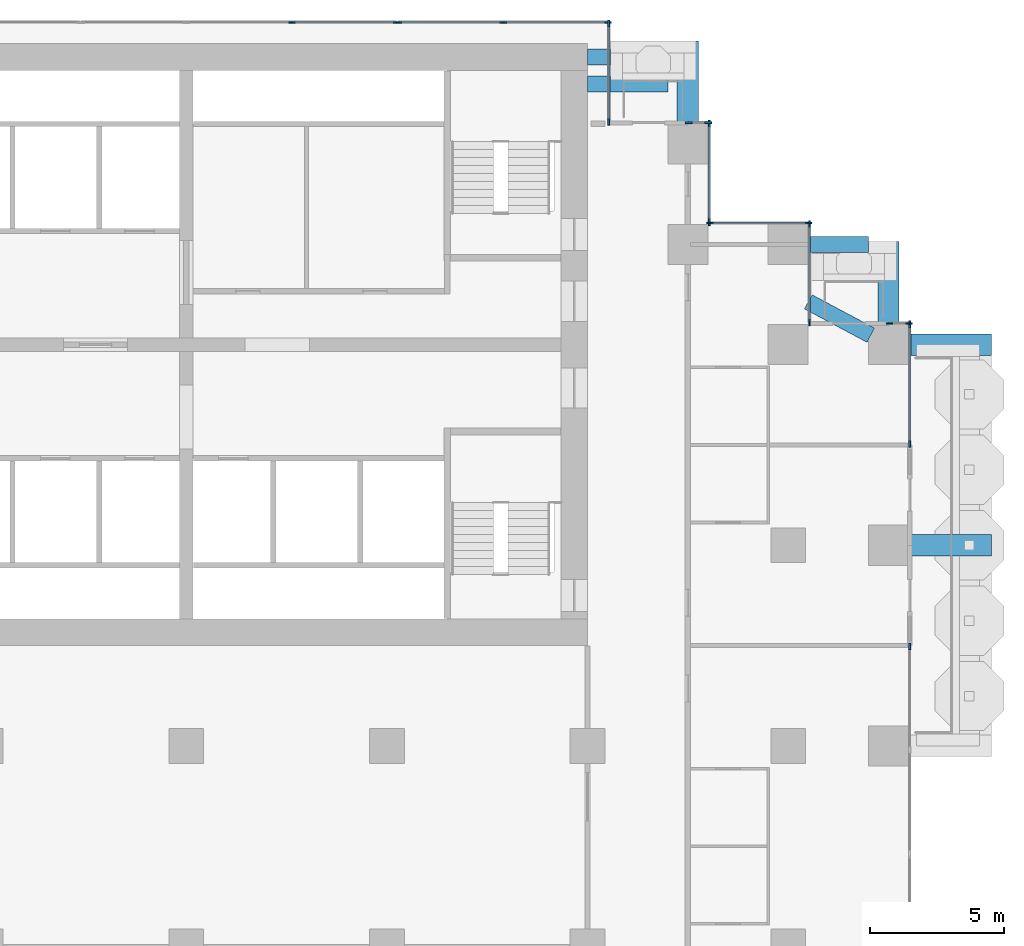
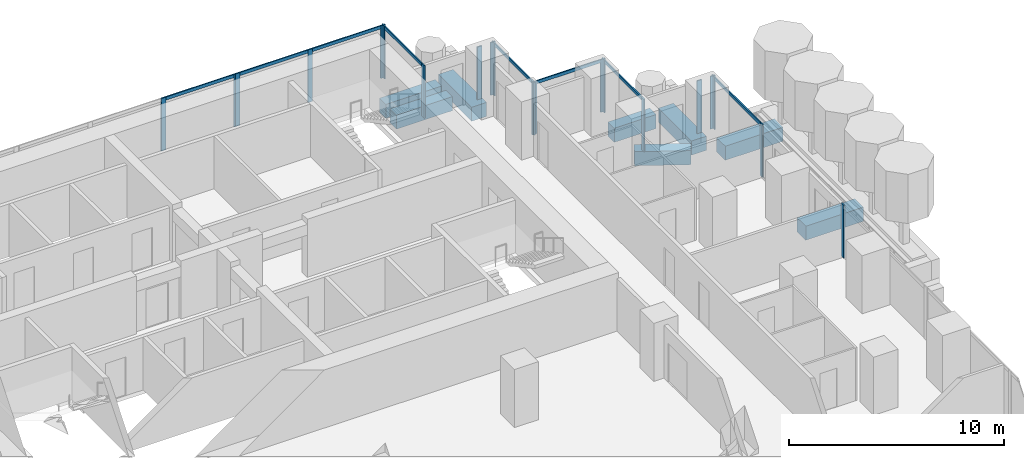
# One storey, part 6 of 19: 28 members, 8 beams, 10 elements without a shape of their own.
"""IFC4 building model written with IfcOpenShell, lengths in metres."""

import ifcopenshell
import ifcopenshell.guid

model = None  # the IFC model being written
_history = None  # IfcOwnerHistory: only IFC2X3 demands one
_inside = {}  # id of a spatial element -> (the spatial element, [elements in it])
_under = {}  # id of a project, library or spatial element -> (it, [spatial elements below it])
_declared = {}  # id of a project -> (the project, [libraries it declares])
_typed = {}  # id of a type object -> (the type object, [elements of that type])
_made_of = {}  # id of a material, layer set ... -> (it, [elements and type objects made of it])


def new_model(schema):
    """Start an empty IFC model of exactly this schema.

    Asked for "IFC4X3", IfcOpenShell would pick the latest addendum, in which some entities
    have other attributes; the version numbers below select the first issue.
    IFC2X3 requires an IfcOwnerHistory on every rooted entity: one is made here for all.
    """
    global model, _history
    if schema == "IFC4X3":
        model = ifcopenshell.file(schema_version=(4, 3, 0, 0))
    else:
        model = ifcopenshell.file(schema=schema)
    _inside.clear()
    _under.clear()
    _declared.clear()
    _typed.clear()
    _made_of.clear()
    _history = None
    if model.schema == "IFC2X3":
        org = make("IfcOrganization", Name="unknown")
        user = make(
            "IfcPersonAndOrganization",
            ThePerson=make("IfcPerson", FamilyName="unknown"),
            TheOrganization=org,
        )
        app = make(
            "IfcApplication",
            ApplicationDeveloper=org,
            Version="unknown",
            ApplicationFullName="unknown",
            ApplicationIdentifier="unknown",
        )
        _history = make(
            "IfcOwnerHistory",
            OwningUser=user,
            OwningApplication=app,
            ChangeAction="ADDED",
            CreationDate=0,
        )
    return model


def make(cls, **values):
    """One entity of the class cls with the attributes given. An attribute that is None is left unset."""
    return model.create_entity(
        cls, **{name: value for name, value in values.items() if value is not None}
    )


def rooted(cls, **values):
    """An entity with a GlobalId (a new one), such as an element, a storey or a relation."""
    return make(cls, GlobalId=ifcopenshell.guid.new(), OwnerHistory=_history, **values)


def si_unit(unit_type, name, prefix=None):
    """IfcSIUnit, for example si_unit("LENGTHUNIT", "METRE", prefix="MILLI")."""
    return make("IfcSIUnit", UnitType=unit_type, Prefix=prefix, Name=name)


def assignment(units):
    """IfcUnitAssignment: the units of a project."""
    return None if units is None else make("IfcUnitAssignment", Units=units)


def point(xyz):
    """IfcCartesianPoint."""
    return None if xyz is None else make("IfcCartesianPoint", Coordinates=xyz)


def direction(xyz):
    """IfcDirection."""
    return None if xyz is None else make("IfcDirection", DirectionRatios=xyz)


def frame(location, z_axis=None, x_axis=None):
    """IfcAxis2Placement3D, a coordinate frame: its origin and axes. An axis left out is left unset."""
    return make(
        "IfcAxis2Placement3D",
        Location=point(location),
        Axis=direction(z_axis),
        RefDirection=direction(x_axis),
    )


def frame_2d(location, x_axis=None):
    """IfcAxis2Placement2D, a coordinate frame in the plane: its origin and x axis."""
    return make(
        "IfcAxis2Placement2D", Location=point(location), RefDirection=direction(x_axis)
    )


def origin():
    """The frame at (0, 0, 0) with its axes left unset."""
    return frame((0.0, 0.0, 0.0))


def origin_2d():
    """The frame at (0, 0) in the plane with its x axis left unset."""
    return frame_2d((0.0, 0.0))


def place(relative_to, where):
    """IfcLocalPlacement: puts the frame where relative to a parent placement (None: the world)."""
    return make(
        "IfcLocalPlacement", PlacementRelTo=relative_to, RelativePlacement=where
    )


def context(
    kind, dimensions, precision=None, world=None, true_north=None, identifier=None
):
    """IfcGeometricRepresentationContext, for example the 3D "Model" context."""
    return make(
        "IfcGeometricRepresentationContext",
        ContextIdentifier=identifier,
        ContextType=kind,
        CoordinateSpaceDimension=dimensions,
        Precision=precision,
        WorldCoordinateSystem=world,
        TrueNorth=true_north,
    )


def subcontext(parent, identifier, kind, view, scale=None):
    """IfcGeometricRepresentationSubContext, for example "Body" below "Model"."""
    return make(
        "IfcGeometricRepresentationSubContext",
        ContextIdentifier=identifier,
        ContextType=kind,
        ParentContext=parent,
        TargetScale=scale,
        TargetView=view,
    )


def project(units=None, contexts=None):
    """IfcProject with its units and contexts."""
    return rooted(
        "IfcProject",
        Name="project",
        RepresentationContexts=contexts,
        UnitsInContext=assignment(units),
    )


def spatial(cls, under=None, at=None, **own):
    """A site, building, storey or space (cls), placed at a placement, below another one or the project."""
    s = rooted(cls, ObjectPlacement=at, **own)
    if under is not None:
        _under.setdefault(under.id(), (under, []))[1].append(s)
    return s


def profile(cls, at=None, kind="AREA", **sizes):
    """A parametric profile (cls). Its sizes go by their IFC names, for example OverallWidth=200.0."""
    return make(cls, ProfileType=kind, Position=at, **sizes)


def rectangle(**sizes):
    """IfcRectangleProfileDef."""
    return profile("IfcRectangleProfileDef", **sizes)


def extrude(swept, where, along, depth):
    """IfcExtrudedAreaSolid: the profile swept, set in the frame where, extruded along a direction by depth."""
    return make(
        "IfcExtrudedAreaSolid",
        SweptArea=swept,
        Position=where,
        ExtrudedDirection=direction(along),
        Depth=depth,
    )


def shape(context_of_items, identifier, shape_type, items):
    """IfcShapeRepresentation: the items that make up one representation, for example the "Body"."""
    return make(
        "IfcShapeRepresentation",
        ContextOfItems=context_of_items,
        RepresentationIdentifier=identifier,
        RepresentationType=shape_type,
        Items=items,
    )


def material(Name=None, Category=None):
    """IfcMaterial."""
    return make("IfcMaterial", Name=Name, Category=Category)


def material_profile(
    of_material, cross_section, Name=None, Category=None, Priority=None
):
    """IfcMaterialProfile: a cross section and its material."""
    return make(
        "IfcMaterialProfile",
        Name=Name,
        Material=of_material,
        Profile=cross_section,
        Priority=Priority,
        Category=Category,
    )


def profile_set(profiles, Name=None, composite=None):
    """IfcMaterialProfileSet."""
    return make(
        "IfcMaterialProfileSet",
        Name=Name,
        MaterialProfiles=profiles,
        CompositeProfile=composite,
    )


def made_of(thing, what):
    """Note that an element or type object is made of a material, layer set ...; save() writes the relation."""
    if what is not None:
        _made_of.setdefault(what.id(), (what, []))[1].append(thing)
    return thing


def type_object(cls, material=None, **own):
    """A type object (cls), such as IfcWallType, which elements share."""
    return made_of(rooted(cls, **own), material)


def element(
    cls,
    number,
    at=None,
    inside=None,
    cuts=None,
    type_object=None,
    material=None,
    context=None,
    identifier="Body",
    shape_type=None,
    held_by="IfcProductDefinitionShape",
    body=None,
    shapes=None,
    **own,
):
    """One element of the class cls, such as IfcWall. Its Tag is "e" and its number.

    at: its placement. inside: the storey or other place that contains it. cuts: it is an
    opening in that element (IfcRelVoidsElement). A single representation is given by context,
    identifier, shape_type and body (its items); several are given by shapes. held_by: the class
    of the entity that holds the representations. save() writes the other relations.
    """
    e = rooted(cls, Tag="e%d" % number, ObjectPlacement=at, **own)
    if body is not None:
        shapes = [shape(context, identifier, shape_type, body)]
    if shapes is not None:
        e.Representation = make(held_by, Representations=shapes)
    if inside is not None:
        _inside.setdefault(inside.id(), (inside, []))[1].append(e)
    if cuts is not None:
        rooted(
            "IfcRelVoidsElement", RelatingBuildingElement=cuts, RelatedOpeningElement=e
        )
    if type_object is not None:
        _typed.setdefault(type_object.id(), (type_object, []))[1].append(e)
    return made_of(e, material)


def aggregate(whole, parts):
    """IfcRelAggregates: a whole, such as a stair, and the parts it consists of."""
    return rooted("IfcRelAggregates", RelatingObject=whole, RelatedObjects=parts)


def save(model, path):
    """Write the relations noted so far, then the file.

    IfcRelAggregates (storeys below a building ...), IfcRelContainedInSpatialStructure (elements
    in a storey), IfcRelDefinesByType, IfcRelAssociatesMaterial and IfcRelDeclares: one each for
    every whole, place, type object, material and project.
    """
    for whole, parts in _under.values():
        aggregate(whole, parts)
    for where, things in _inside.values():
        rooted(
            "IfcRelContainedInSpatialStructure",
            RelatedElements=things,
            RelatingStructure=where,
        )
    for kind, things in _typed.values():
        rooted("IfcRelDefinesByType", RelatedObjects=things, RelatingType=kind)
    for what, things in _made_of.values():
        rooted("IfcRelAssociatesMaterial", RelatedObjects=things, RelatingMaterial=what)
    for by, libraries in _declared.values():
        rooted("IfcRelDeclares", RelatingContext=by, RelatedDefinitions=libraries)
    model.write(path)


model = new_model("IFC4")

# Units and contexts
model_context = context("Model", 3, precision=1e-05, world=origin(), true_north=direction((0.0, 1.0)))
body_context = subcontext(model_context, "Body", "Model", "MODEL_VIEW")
ifc_project = project(units=[si_unit("LENGTHUNIT", "METRE"), si_unit("AREAUNIT", "SQUARE_METRE"), si_unit("VOLUMEUNIT", "CUBIC_METRE"), si_unit("PLANEANGLEUNIT", "RADIAN"), si_unit("MASSUNIT", "GRAM", prefix="KILO")], contexts=[model_context])

# Site, building, storey
site_placement = place(None, origin())
site = spatial("IfcSite", under=ifc_project, at=site_placement, CompositionType="ELEMENT")
building_placement = place(site_placement, origin())
building = spatial("IfcBuilding", under=site, at=building_placement, Name="Pilkhan Gate Tower", CompositionType="ELEMENT")
storey_placement = place(building_placement, frame((0.0, 0.0, 65.89990234375)))
storey = spatial("IfcBuildingStorey", under=building, at=storey_placement, Name="L14", CompositionType="ELEMENT", Elevation=65.89990234375)

# Beams
ifc_material_1 = material(Name="Concrete C50/60", Category="concrete")
ifc_material_profile_1 = material_profile(ifc_material_1, rectangle(XDim=0.60009765625, YDim=0.800048828125, at=origin_2d()), Name="RC 600x800")
ifc_profile_set_1 = profile_set([ifc_material_profile_1], Name="Concrete C50/60")
beam_type_1 = type_object("IfcBeamType", Name="Cantilever beam CB1 RC 600x800 C50/60", PredefinedType="BEAM", material=ifc_profile_set_1)
for number, where, z_axis, x_axis, name in (
    (1, (90.0, 93.25, -0.699951171875), (1.0, 0.0, 0.0), (0.0, 1.0, 0.0), "Balcony beam NE.2 L14"),
    (2, (90.0, 92.25, -0.699951171875), (1.0, 0.0, 0.0), (0.0, 1.0, 0.0), "Balcony beam NE.3 L14"),
):
    element("IfcBeam", number, at=place(storey_placement, frame(where, z_axis=z_axis, x_axis=x_axis)), inside=storey, type_object=beam_type_1, Name=name, PredefinedType="BEAM", context=body_context, shape_type="SweptSolid", body=[
        extrude(rectangle(XDim=0.60009765625, YDim=0.800048828125, at=origin_2d()), origin(), (0.0, 0.0, 1.0), 3.0),
    ])
beam_1_placement = place(storey_placement, frame((98.25, 86.25, -0.699951171875), z_axis=(1.0, 0.0, 0.0), x_axis=(0.0, 1.0, 0.0)))
element("IfcBeam", 3, at=beam_1_placement, inside=storey, type_object=beam_type_1, Name="Balcony beam NE2.2 L14", PredefinedType="BEAM", context=body_context, shape_type="SweptSolid", body=[
    extrude(rectangle(XDim=0.60009765625, YDim=0.800048828125, at=origin_2d()), origin(), (0.0, 0.0, 1.0), 2.25),
])
beam_2_placement = place(storey_placement, frame((100.588134765625, 82.85302734375, -0.699951171875), z_axis=(-0.882342739565, 0.470607362817, 0.0), x_axis=(-0.470607362817, -0.882342739565, 0.0)))
element("IfcBeam", 4, at=beam_2_placement, inside=storey, type_object=beam_type_1, Name="Balcony beam NE2.3 L14", PredefinedType="BEAM", context=body_context, shape_type="SweptSolid", body=[
    extrude(rectangle(XDim=0.60009765625, YDim=0.800048828125, at=origin_2d()), origin(), (0.0, 0.0, 1.0), 2.64990234375),
])
ifc_material_profile_2 = material_profile(ifc_material_1, rectangle(XDim=0.800048828125, YDim=0.800048828125, at=origin_2d()), Name="RC 800x800")
ifc_profile_set_2 = profile_set([ifc_material_profile_2], Name="Concrete C50/60")
beam_type_2 = type_object("IfcBeamType", Name="Cantilever beam CB2 RC 800x800 C50/60", PredefinedType="BEAM", material=ifc_profile_set_2)
for number, where, z_axis, x_axis, name in (
    (5, (102.0, 75.0, -0.699951171875), (1.0, 0.0, 0.0), (0.0, 1.0, 0.0), "Balcony beam E.2 L14"),
    (6, (102.0, 82.5, -0.699951171875), (1.0, 0.0, 0.0), (0.0, 1.0, 0.0), "Balcony beam E.3 L14"),
    (7, (93.75, 90.75, -0.699951171875), (0.0, 1.0, 0.0), (-1.0, 0.0, 0.0), "Balcony beam NE.1 L14"),
    (8, (101.25, 83.25, -0.699951171875), (0.0, 1.0, 0.0), (-1.0, 0.0, 0.0), "Balcony beam NE2.1 L14"),
):
    element("IfcBeam", number, at=place(storey_placement, frame(where, z_axis=z_axis, x_axis=x_axis)), inside=storey, type_object=beam_type_2, Name=name, PredefinedType="BEAM", context=body_context, shape_type="SweptSolid", body=[
        extrude(rectangle(XDim=0.800048828125, YDim=0.800048828125, at=origin_2d()), origin(), (0.0, 0.0, 1.0), 3.10009765625),
    ])

# Curtain wall, member
ifc_material_2 = material(Name="Pale anodised aluminium, clear low-iron double glazing", Category="aluminium")
curtain_wall_type = type_object("IfcCurtainWallType", Name="Hotel unitised curtain wall CW-H", PredefinedType="USERDEFINED", material=ifc_material_2)
curtain_wall_1_placement = place(storey_placement, origin())
curtain_wall_1 = element("IfcCurtainWall", 9, at=curtain_wall_1_placement, inside=storey, type_object=curtain_wall_type, Name="Hotel unitised curtain wall CW-H L14 E", ObjectType="UNITISED CURTAIN WALL", PredefinedType="USERDEFINED")
ifc_material_3 = material(Name="Pale anodised aluminium", Category="aluminium")
ifc_material_profile_3 = material_profile(ifc_material_3, rectangle(XDim=0.06494140625, YDim=0.25, at=origin_2d()), Name="Mullion 250x65")
ifc_profile_set_3 = profile_set([ifc_material_profile_3], Name="Pale anodised aluminium")
member_type_1 = type_object("IfcMemberType", Name="Mullion CW-H 250x65", PredefinedType="MULLION", material=ifc_profile_set_3)
member_1_placement = place(storey_placement, frame((102.044921875, 71.217529296875, 0.0), z_axis=(0.0, 0.0, 1.0), x_axis=(-1.0, 0.0, 0.0)))
member_1 = element("IfcMember", 10, at=member_1_placement, type_object=member_type_1, Name="CW-H mullion 3", PredefinedType="MULLION", context=body_context, shape_type="SweptSolid", body=[
    extrude(rectangle(XDim=0.06494140625, YDim=0.25, at=origin_2d()), origin(), (0.0, 0.0, 1.0), 3.0),
])
aggregate(curtain_wall_1, [member_1])

# Curtain wall, members
curtain_wall_2_placement = place(storey_placement, origin())
curtain_wall_2 = element("IfcCurtainWall", 11, at=curtain_wall_2_placement, inside=storey, type_object=curtain_wall_type, Name="Hotel unitised curtain wall CW-H L14 E", ObjectType="UNITISED CURTAIN WALL", PredefinedType="USERDEFINED")
member_2_placement = place(storey_placement, frame((102.044921875, 78.782470703125, 0.0), z_axis=(0.0, 0.0, 1.0), x_axis=(-1.0, 0.0, 0.0)))
member_2 = element("IfcMember", 12, at=member_2_placement, type_object=member_type_1, Name="CW-H mullion 1", PredefinedType="MULLION", context=body_context, shape_type="SweptSolid", body=[
    extrude(rectangle(XDim=0.06494140625, YDim=0.25, at=origin_2d()), origin(), (0.0, 0.0, 1.0), 3.0),
])
member_3_placement = place(storey_placement, frame((102.044921875, 83.262451171875, 0.0), z_axis=(0.0, 0.0, 1.0), x_axis=(-1.0, 0.0, 0.0)))
member_3 = element("IfcMember", 13, at=member_3_placement, type_object=member_type_1, Name="CW-H mullion 2", PredefinedType="MULLION", context=body_context, shape_type="SweptSolid", body=[
    extrude(rectangle(XDim=0.06494140625, YDim=0.25, at=origin_2d()), origin(), (0.0, 0.0, 1.0), 3.0),
])

curtain_wall_3_placement = place(storey_placement, origin())
curtain_wall_3 = element("IfcCurtainWall", 14, at=curtain_wall_3_placement, inside=storey, type_object=curtain_wall_type, Name="Hotel unitised curtain wall CW-H L14 N", ObjectType="UNITISED CURTAIN WALL", PredefinedType="USERDEFINED")
member_4_placement = place(storey_placement, frame((101.282470703125, 83.294921875, 0.0), z_axis=(0.0, 0.0, 1.0), x_axis=(0.0, 1.0, 0.0)))
member_4 = element("IfcMember", 15, at=member_4_placement, type_object=member_type_1, Name="CW-H mullion 1", PredefinedType="MULLION", context=body_context, shape_type="SweptSolid", body=[
    extrude(rectangle(XDim=0.06494140625, YDim=0.25, at=origin_2d()), origin(), (0.0, 0.0, 1.0), 3.0),
])
member_5_placement = place(storey_placement, frame((102.012451171875, 83.294921875, 0.0), z_axis=(0.0, 0.0, 1.0), x_axis=(0.0, 1.0, 0.0)))
member_5 = element("IfcMember", 16, at=member_5_placement, type_object=member_type_1, Name="CW-H mullion 2", PredefinedType="MULLION", context=body_context, shape_type="SweptSolid", body=[
    extrude(rectangle(XDim=0.06494140625, YDim=0.25, at=origin_2d()), origin(), (0.0, 0.0, 1.0), 3.0),
])
aggregate(curtain_wall_3, [member_4, member_5])

curtain_wall_4_placement = place(storey_placement, origin())
curtain_wall_4 = element("IfcCurtainWall", 17, at=curtain_wall_4_placement, inside=storey, type_object=curtain_wall_type, Name="Hotel unitised curtain wall CW-H L14 E", ObjectType="UNITISED CURTAIN WALL", PredefinedType="USERDEFINED")
member_6_placement = place(storey_placement, frame((98.294921875, 83.327392578125, 0.0), z_axis=(0.0, 0.0, 1.0), x_axis=(-1.0, 0.0, 0.0)))
member_6 = element("IfcMember", 18, at=member_6_placement, type_object=member_type_1, Name="CW-H mullion 1", PredefinedType="MULLION", context=body_context, shape_type="SweptSolid", body=[
    extrude(rectangle(XDim=0.06494140625, YDim=0.25, at=origin_2d()), origin(), (0.0, 0.0, 1.0), 3.0),
])
member_7_placement = place(storey_placement, frame((98.294921875, 87.012451171875, 0.0), z_axis=(0.0, 0.0, 1.0), x_axis=(-1.0, 0.0, 0.0)))
member_7 = element("IfcMember", 19, at=member_7_placement, type_object=member_type_1, Name="CW-H mullion 2", PredefinedType="MULLION", context=body_context, shape_type="SweptSolid", body=[
    extrude(rectangle(XDim=0.06494140625, YDim=0.25, at=origin_2d()), origin(), (0.0, 0.0, 1.0), 3.0),
])

curtain_wall_5_placement = place(storey_placement, origin())
curtain_wall_5 = element("IfcCurtainWall", 20, at=curtain_wall_5_placement, inside=storey, type_object=curtain_wall_type, Name="Hotel unitised curtain wall CW-H L14 N", ObjectType="UNITISED CURTAIN WALL", PredefinedType="USERDEFINED")
member_8_placement = place(storey_placement, frame((94.577392578125, 87.044921875, 0.0), z_axis=(0.0, 0.0, 1.0), x_axis=(0.0, 1.0, 0.0)))
member_8 = element("IfcMember", 21, at=member_8_placement, type_object=member_type_1, Name="CW-H mullion 1", PredefinedType="MULLION", context=body_context, shape_type="SweptSolid", body=[
    extrude(rectangle(XDim=0.06494140625, YDim=0.25, at=origin_2d()), origin(), (0.0, 0.0, 1.0), 3.0),
])
member_9_placement = place(storey_placement, frame((98.262451171875, 87.044921875, 0.0), z_axis=(0.0, 0.0, 1.0), x_axis=(0.0, 1.0, 0.0)))
member_9 = element("IfcMember", 22, at=member_9_placement, type_object=member_type_1, Name="CW-H mullion 2", PredefinedType="MULLION", context=body_context, shape_type="SweptSolid", body=[
    extrude(rectangle(XDim=0.06494140625, YDim=0.25, at=origin_2d()), origin(), (0.0, 0.0, 1.0), 3.0),
])

curtain_wall_6_placement = place(storey_placement, origin())
curtain_wall_6 = element("IfcCurtainWall", 23, at=curtain_wall_6_placement, inside=storey, type_object=curtain_wall_type, Name="Hotel unitised curtain wall CW-H L14 E", ObjectType="UNITISED CURTAIN WALL", PredefinedType="USERDEFINED")
member_10_placement = place(storey_placement, frame((94.544921875, 87.077392578125, 0.0), z_axis=(0.0, 0.0, 1.0), x_axis=(-1.0, 0.0, 0.0)))
member_10 = element("IfcMember", 24, at=member_10_placement, type_object=member_type_1, Name="CW-H mullion 1", PredefinedType="MULLION", context=body_context, shape_type="SweptSolid", body=[
    extrude(rectangle(XDim=0.06494140625, YDim=0.25, at=origin_2d()), origin(), (0.0, 0.0, 1.0), 3.0),
])
member_11_placement = place(storey_placement, frame((94.544921875, 90.762451171875, 0.0), z_axis=(0.0, 0.0, 1.0), x_axis=(-1.0, 0.0, 0.0)))
member_11 = element("IfcMember", 25, at=member_11_placement, type_object=member_type_1, Name="CW-H mullion 2", PredefinedType="MULLION", context=body_context, shape_type="SweptSolid", body=[
    extrude(rectangle(XDim=0.06494140625, YDim=0.25, at=origin_2d()), origin(), (0.0, 0.0, 1.0), 3.0),
])

curtain_wall_7_placement = place(storey_placement, origin())
curtain_wall_7 = element("IfcCurtainWall", 26, at=curtain_wall_7_placement, inside=storey, type_object=curtain_wall_type, Name="Hotel unitised curtain wall CW-H L14 N", ObjectType="UNITISED CURTAIN WALL", PredefinedType="USERDEFINED")
member_12_placement = place(storey_placement, frame((93.782470703125, 90.794921875, 0.0), z_axis=(0.0, 0.0, 1.0), x_axis=(0.0, 1.0, 0.0)))
member_12 = element("IfcMember", 27, at=member_12_placement, type_object=member_type_1, Name="CW-H mullion 1", PredefinedType="MULLION", context=body_context, shape_type="SweptSolid", body=[
    extrude(rectangle(XDim=0.06494140625, YDim=0.25, at=origin_2d()), origin(), (0.0, 0.0, 1.0), 3.0),
])
member_13_placement = place(storey_placement, frame((94.512451171875, 90.794921875, 0.0), z_axis=(0.0, 0.0, 1.0), x_axis=(0.0, 1.0, 0.0)))
member_13 = element("IfcMember", 28, at=member_13_placement, type_object=member_type_1, Name="CW-H mullion 2", PredefinedType="MULLION", context=body_context, shape_type="SweptSolid", body=[
    extrude(rectangle(XDim=0.06494140625, YDim=0.25, at=origin_2d()), origin(), (0.0, 0.0, 1.0), 3.0),
])
aggregate(curtain_wall_7, [member_12, member_13])

curtain_wall_8_placement = place(storey_placement, origin())
curtain_wall_8 = element("IfcCurtainWall", 29, at=curtain_wall_8_placement, inside=storey, type_object=curtain_wall_type, Name="Hotel unitised curtain wall CW-H L14 E", ObjectType="UNITISED CURTAIN WALL", PredefinedType="USERDEFINED")
member_14_placement = place(storey_placement, frame((90.794921875, 90.827392578125, 0.0), z_axis=(0.0, 0.0, 1.0), x_axis=(-1.0, 0.0, 0.0)))
member_14 = element("IfcMember", 30, at=member_14_placement, type_object=member_type_1, Name="CW-H mullion 1", PredefinedType="MULLION", context=body_context, shape_type="SweptSolid", body=[
    extrude(rectangle(XDim=0.06494140625, YDim=0.25, at=origin_2d()), origin(), (0.0, 0.0, 1.0), 3.0),
])
member_15_placement = place(storey_placement, frame((90.794921875, 94.512451171875, 0.0), z_axis=(0.0, 0.0, 1.0), x_axis=(-1.0, 0.0, 0.0)))
member_15 = element("IfcMember", 31, at=member_15_placement, type_object=member_type_1, Name="CW-H mullion 2", PredefinedType="MULLION", context=body_context, shape_type="SweptSolid", body=[
    extrude(rectangle(XDim=0.06494140625, YDim=0.25, at=origin_2d()), origin(), (0.0, 0.0, 1.0), 3.0),
])

curtain_wall_9_placement = place(storey_placement, origin())
curtain_wall_9 = element("IfcCurtainWall", 32, at=curtain_wall_9_placement, inside=storey, type_object=curtain_wall_type, Name="Hotel unitised curtain wall CW-H L14 N", ObjectType="UNITISED CURTAIN WALL", PredefinedType="USERDEFINED")
member_16_placement = place(storey_placement, frame((78.94873046875, 94.544921875, 0.0), z_axis=(0.0, 0.0, 1.0), x_axis=(0.0, 1.0, 0.0)))
member_16 = element("IfcMember", 33, at=member_16_placement, type_object=member_type_1, Name="CW-H mullion 3", PredefinedType="MULLION", context=body_context, shape_type="SweptSolid", body=[
    extrude(rectangle(XDim=0.06494140625, YDim=0.25, at=origin_2d()), origin(), (0.0, 0.0, 1.0), 3.0),
])
member_17_placement = place(storey_placement, frame((82.864990234375, 94.544921875, 0.0), z_axis=(0.0, 0.0, 1.0), x_axis=(0.0, 1.0, 0.0)))
member_17 = element("IfcMember", 34, at=member_17_placement, type_object=member_type_1, Name="CW-H mullion 4", PredefinedType="MULLION", context=body_context, shape_type="SweptSolid", body=[
    extrude(rectangle(XDim=0.06494140625, YDim=0.25, at=origin_2d()), origin(), (0.0, 0.0, 1.0), 3.0),
])

curtain_wall_10_placement = place(storey_placement, origin())
curtain_wall_10 = element("IfcCurtainWall", 35, at=curtain_wall_10_placement, inside=storey, type_object=curtain_wall_type, Name="Hotel unitised curtain wall CW-H L14 N", ObjectType="UNITISED CURTAIN WALL", PredefinedType="USERDEFINED")
member_18_placement = place(storey_placement, frame((82.929931640625, 94.544921875, 0.0), z_axis=(0.0, 0.0, 1.0), x_axis=(0.0, 1.0, 0.0)))
member_18 = element("IfcMember", 36, at=member_18_placement, type_object=member_type_1, Name="CW-H mullion 1", PredefinedType="MULLION", context=body_context, shape_type="SweptSolid", body=[
    extrude(rectangle(XDim=0.06494140625, YDim=0.25, at=origin_2d()), origin(), (0.0, 0.0, 1.0), 3.0),
])
member_19_placement = place(storey_placement, frame((86.84619140625, 94.544921875, 0.0), z_axis=(0.0, 0.0, 1.0), x_axis=(0.0, 1.0, 0.0)))
member_19 = element("IfcMember", 37, at=member_19_placement, type_object=member_type_1, Name="CW-H mullion 2", PredefinedType="MULLION", context=body_context, shape_type="SweptSolid", body=[
    extrude(rectangle(XDim=0.06494140625, YDim=0.25, at=origin_2d()), origin(), (0.0, 0.0, 1.0), 3.0),
])
member_20_placement = place(storey_placement, frame((90.762451171875, 94.544921875, 0.0), z_axis=(0.0, 0.0, 1.0), x_axis=(0.0, 1.0, 0.0)))
member_20 = element("IfcMember", 38, at=member_20_placement, type_object=member_type_1, Name="CW-H mullion 3", PredefinedType="MULLION", context=body_context, shape_type="SweptSolid", body=[
    extrude(rectangle(XDim=0.06494140625, YDim=0.25, at=origin_2d()), origin(), (0.0, 0.0, 1.0), 3.0),
])

# Member
ifc_material_profile_4 = material_profile(ifc_material_3, rectangle(XDim=0.06494140625, YDim=0.179931640625, at=origin_2d()), Name="Transom 180x65")
ifc_profile_set_4 = profile_set([ifc_material_profile_4], Name="Pale anodised aluminium")
member_type_2 = type_object("IfcMemberType", Name="Transom CW-H 180x65", PredefinedType="USERDEFINED", material=ifc_profile_set_4)
member_21_placement = place(storey_placement, frame((102.044921875, 78.81494140625, 2.91015625), z_axis=(0.0, 1.0, 0.0), x_axis=(-1.0, 0.0, 0.0)))
member_21 = element("IfcMember", 39, at=member_21_placement, type_object=member_type_2, Name="CW-H transom 1", ObjectType="TRANSOM", PredefinedType="USERDEFINED", context=body_context, shape_type="SweptSolid", body=[
    extrude(rectangle(XDim=0.06494140625, YDim=0.179931640625, at=origin_2d()), origin(), (0.0, 0.0, 1.0), 4.4150390625),
])

aggregate(curtain_wall_2, [member_2, member_3, member_21])

member_22_placement = place(storey_placement, frame((98.294921875, 83.360107421875, 2.91015625), z_axis=(0.0, 1.0, 0.0), x_axis=(-1.0, 0.0, 0.0)))
member_22 = element("IfcMember", 40, at=member_22_placement, type_object=member_type_2, Name="CW-H transom 1", ObjectType="TRANSOM", PredefinedType="USERDEFINED", context=body_context, shape_type="SweptSolid", body=[
    extrude(rectangle(XDim=0.06494140625, YDim=0.179931640625, at=origin_2d()), origin(), (0.0, 0.0, 1.0), 3.619873046875),
])

aggregate(curtain_wall_4, [member_6, member_7, member_22])

member_23_placement = place(storey_placement, frame((94.610107421875, 87.044921875, 2.91015625), z_axis=(1.0, 0.0, 0.0), x_axis=(0.0, 1.0, 0.0)))
member_23 = element("IfcMember", 41, at=member_23_placement, type_object=member_type_2, Name="CW-H transom 1", ObjectType="TRANSOM", PredefinedType="USERDEFINED", context=body_context, shape_type="SweptSolid", body=[
    extrude(rectangle(XDim=0.06494140625, YDim=0.179931640625, at=origin_2d()), origin(), (0.0, 0.0, 1.0), 3.619873046875),
])

aggregate(curtain_wall_5, [member_8, member_9, member_23])

member_24_placement = place(storey_placement, frame((94.544921875, 87.110107421875, 2.91015625), z_axis=(0.0, 1.0, 0.0), x_axis=(-1.0, 0.0, 0.0)))
member_24 = element("IfcMember", 42, at=member_24_placement, type_object=member_type_2, Name="CW-H transom 1", ObjectType="TRANSOM", PredefinedType="USERDEFINED", context=body_context, shape_type="SweptSolid", body=[
    extrude(rectangle(XDim=0.06494140625, YDim=0.179931640625, at=origin_2d()), origin(), (0.0, 0.0, 1.0), 3.619873046875),
])

aggregate(curtain_wall_6, [member_10, member_11, member_24])

member_25_placement = place(storey_placement, frame((90.794921875, 90.860107421875, 2.91015625), z_axis=(0.0, 1.0, 0.0), x_axis=(-1.0, 0.0, 0.0)))
member_25 = element("IfcMember", 43, at=member_25_placement, type_object=member_type_2, Name="CW-H transom 1", ObjectType="TRANSOM", PredefinedType="USERDEFINED", context=body_context, shape_type="SweptSolid", body=[
    extrude(rectangle(XDim=0.06494140625, YDim=0.179931640625, at=origin_2d()), origin(), (0.0, 0.0, 1.0), 3.619873046875),
])

aggregate(curtain_wall_8, [member_14, member_15, member_25])

member_26_placement = place(storey_placement, frame((78.981201171875, 94.544921875, 2.91015625), z_axis=(1.0, 0.0, 0.0), x_axis=(0.0, 1.0, 0.0)))
member_26 = element("IfcMember", 44, at=member_26_placement, type_object=member_type_2, Name="CW-H transom 3", ObjectType="TRANSOM", PredefinedType="USERDEFINED", context=body_context, shape_type="SweptSolid", body=[
    extrude(rectangle(XDim=0.06494140625, YDim=0.179931640625, at=origin_2d()), origin(), (0.0, 0.0, 1.0), 3.851318359375),
])

aggregate(curtain_wall_9, [member_16, member_17, member_26])

member_27_placement = place(storey_placement, frame((82.96240234375, 94.544921875, 2.91015625), z_axis=(1.0, 0.0, 0.0), x_axis=(0.0, 1.0, 0.0)))
member_27 = element("IfcMember", 45, at=member_27_placement, type_object=member_type_2, Name="CW-H transom 1", ObjectType="TRANSOM", PredefinedType="USERDEFINED", context=body_context, shape_type="SweptSolid", body=[
    extrude(rectangle(XDim=0.06494140625, YDim=0.179931640625, at=origin_2d()), origin(), (0.0, 0.0, 1.0), 3.851318359375),
])

member_28_placement = place(storey_placement, frame((86.878662109375, 94.544921875, 2.91015625), z_axis=(1.0, 0.0, 0.0), x_axis=(0.0, 1.0, 0.0)))
member_28 = element("IfcMember", 46, at=member_28_placement, type_object=member_type_2, Name="CW-H transom 2", ObjectType="TRANSOM", PredefinedType="USERDEFINED", context=body_context, shape_type="SweptSolid", body=[
    extrude(rectangle(XDim=0.06494140625, YDim=0.179931640625, at=origin_2d()), origin(), (0.0, 0.0, 1.0), 3.851318359375),
])

aggregate(curtain_wall_10, [member_18, member_19, member_20, member_27, member_28])

save(model, "model.ifc")
